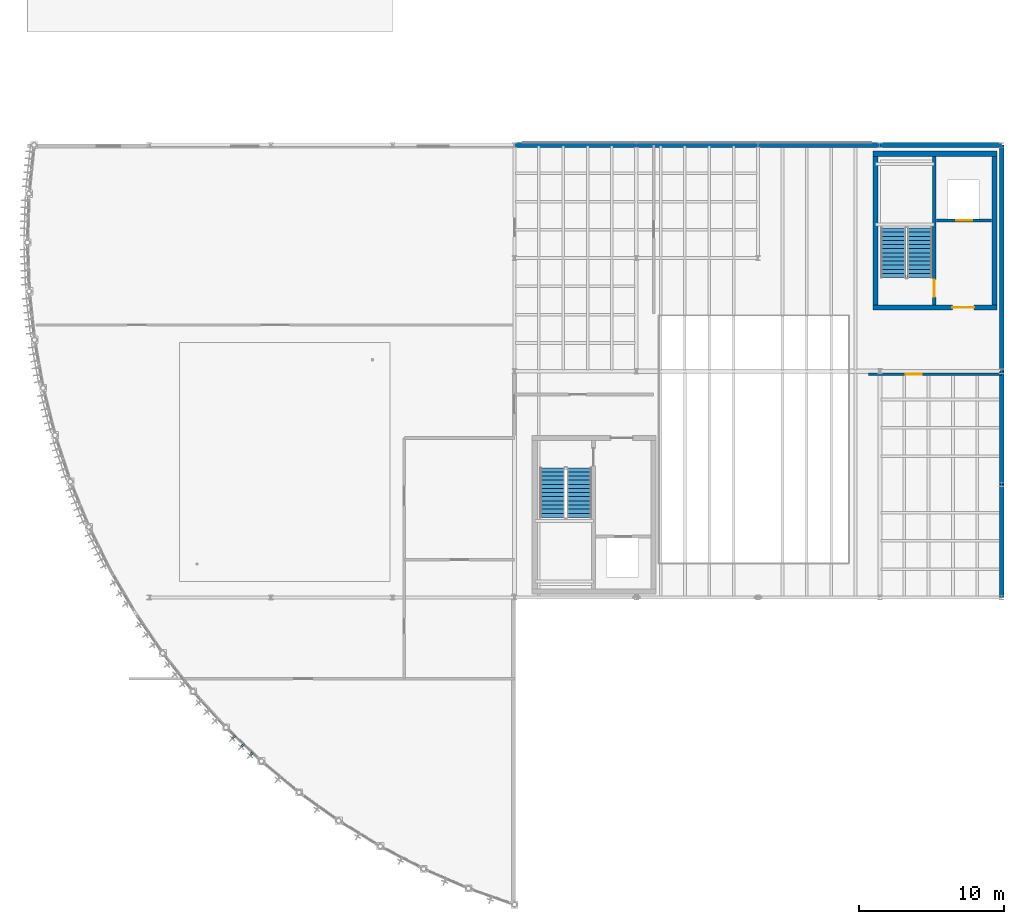
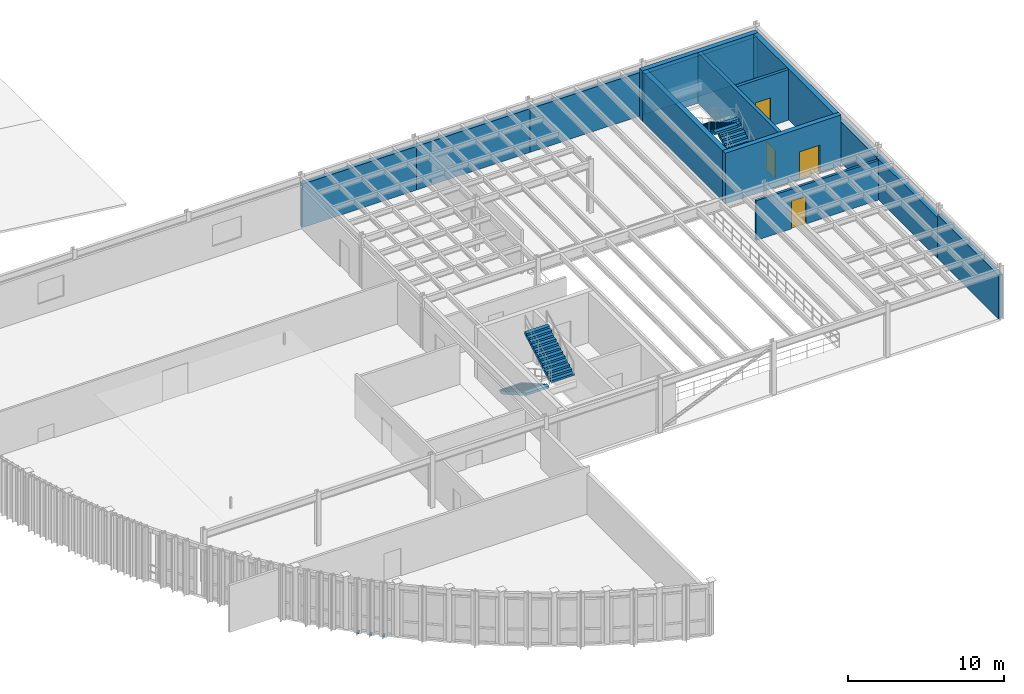
# One storey, part 20 of 26: 14 walls, 4 doors, 4 stair flights, 3 discrete accessories, 4 openings, 2 elements without a shape of their own.
"""IFC4 building model written with IfcOpenShell, lengths in metres."""

from ifc_helpers import new_model, si_unit, direction, frame, frame_2d, origin, origin_2d, place, context, subcontext, project, spatial, polyline, rectangle, outline, extrude, material, layer, layer_set, type_object, element, fill, aggregate, save


model = new_model("IFC4")

# Units and contexts
model_context = context("Model", 3, precision=1e-05, world=origin(), true_north=direction((0.0, 1.0)))
body_context = subcontext(model_context, "Body", "Model", "MODEL_VIEW")
ifc_project = project(units=[si_unit("LENGTHUNIT", "METRE"), si_unit("AREAUNIT", "SQUARE_METRE"), si_unit("VOLUMEUNIT", "CUBIC_METRE"), si_unit("PLANEANGLEUNIT", "RADIAN"), si_unit("MASSUNIT", "GRAM", prefix="KILO")], contexts=[model_context])

# Site, building, storey
site_placement = place(None, origin())
site = spatial("IfcSite", under=ifc_project, at=site_placement, CompositionType="ELEMENT")
building_placement = place(site_placement, origin())
building = spatial("IfcBuilding", under=site, at=building_placement, Name="Selat Folded Stagehouse", CompositionType="ELEMENT")
storey_placement = place(building_placement, frame((0.0, 0.0, 23.39990234375)))
storey = spatial("IfcBuildingStorey", under=building, at=storey_placement, Name="L05", CompositionType="ELEMENT", Elevation=23.39990234375)

# Wall, opening, door
ifc_material_1 = material(Name="Concrete C40/50", Category="concrete")
ifc_layer_1 = layer(ifc_material_1, 0.179931640625)
ifc_layer_set_1 = layer_set([ifc_layer_1], Name="Concrete C40/50")
wall_type_1 = type_object("IfcWallType", Name="WAL-COMP-180", PredefinedType="STANDARD", material=ifc_layer_set_1)
wall_1_placement = place(storey_placement, frame((58.0, 38.800048828125, 0.0), z_axis=(0.0, 0.0, 1.0), x_axis=(1.0, 0.0, 0.0)))
wall_1 = element("IfcWall", 1, at=wall_1_placement, inside=storey, type_object=wall_type_1, Name="L05 interior partition wall 129", PredefinedType="STANDARD", context=body_context, shape_type="SweptSolid", body=[
    extrude(rectangle(XDim=9.199951171875, YDim=0.179931640625, at=frame_2d((4.60009765625, 0.0))), origin(), (0.0, 0.0, 1.0), 3.09619140625),
])
opening_1_placement = place(wall_1_placement, frame((2.592041015625, 0.0, 0.0)))
opening_1 = element("IfcOpeningElement", 2, at=opening_1_placement, cuts=wall_1, Name="Opening FD-60", PredefinedType="OPENING", context=body_context, shape_type="SweptSolid", body=[
    extrude(rectangle(XDim=1.10009765625, YDim=2.14990234375, at=frame_2d((0.550048828125, 1.074951171875))), frame((0.0, 0.099853515625, 0.0), z_axis=(0.0, -1.0, 0.0), x_axis=(1.0, 0.0, 0.0)), (0.0, 0.0, 1.0), 0.199951171875),
])
ifc_material_2 = material(Name="Fire-rated timber core door", Category="wood")
door_type_1 = type_object("IfcDoorType", Name="DOR-FIRE-60", OperationType="NOTDEFINED", PredefinedType="DOOR", material=ifc_material_2)
door_1_placement = place(opening_1_placement, origin())
door_1 = element("IfcDoor", 3, at=door_1_placement, inside=storey, type_object=door_type_1, Name="L05 interior door IWAL-L05-129-1", OperationType="SINGLE_SWING_LEFT", OverallHeight=2.14990234375, OverallWidth=1.10009765625, PredefinedType="DOOR", context=body_context, shape_type="SweptSolid", body=[
    extrude(rectangle(XDim=1.10009765625, YDim=2.14990234375, at=frame_2d((0.550048828125, 1.074951171875))), frame((0.0, 0.02490234375, 0.0), z_axis=(0.0, -1.0, 0.0), x_axis=(1.0, 0.0, 0.0)), (0.0, 0.0, 1.0), 0.050048828125),
])
fill(opening_1, door_1)

ifc_layer_2 = layer(ifc_material_1, 0.215087890625)
ifc_layer_set_2 = layer_set([ifc_layer_2], Name="Concrete C40/50")
wall_type_2 = type_object("IfcWallType", Name="WAL-COMP-215", PredefinedType="STANDARD", material=ifc_layer_set_2)
wall_2_placement = place(storey_placement, frame((62.7099609375, 49.39990234375, 0.0), z_axis=(0.0, 0.0, 1.0), x_axis=(1.0, 0.0, 0.0)))
wall_2 = element("IfcWall", 4, at=wall_2_placement, inside=storey, type_object=wall_type_2, Name="L05 FL-02 lift shaft front wall", PredefinedType="STANDARD", context=body_context, shape_type="SweptSolid", body=[
    extrude(rectangle(XDim=3.794921875, YDim=0.215087890625, at=frame_2d((1.8974609375, 0.0))), origin(), (0.0, 0.0, 1.0), 3.947021484375),
])
opening_2_placement = place(wall_2_placement, frame((1.347412109375, 0.0, 0.0)))
opening_2 = element("IfcOpeningElement", 5, at=opening_2_placement, cuts=wall_2, Name="Opening LD-01", PredefinedType="OPENING", context=body_context, shape_type="SweptSolid", body=[
    extrude(rectangle(XDim=1.10009765625, YDim=2.199951171875, at=frame_2d((0.550048828125, 1.10009765625))), frame((0.0, 0.117431640625, 0.0), z_axis=(0.0, -1.0, 0.0), x_axis=(1.0, 0.0, 0.0)), (0.0, 0.0, 1.0), 0.235107421875),
])
ifc_material_3 = material(Name="Firefighting lift stainless sliding landing door", Category="wood")
door_type_2 = type_object("IfcDoorType", Name="DOR-LFT-1100", OperationType="NOTDEFINED", PredefinedType="DOOR", material=ifc_material_3)
door_2_placement = place(opening_2_placement, origin())
door_2 = element("IfcDoor", 6, at=door_2_placement, inside=storey, type_object=door_type_2, Name="L05 FL-02 lift sliding landing door", OperationType="SLIDING_TO_RIGHT", OverallHeight=2.199951171875, OverallWidth=1.10009765625, PredefinedType="DOOR", context=body_context, shape_type="SweptSolid", body=[
    extrude(rectangle(XDim=1.10009765625, YDim=2.199951171875, at=frame_2d((0.550048828125, 1.10009765625))), frame((0.0, 0.02490234375, 0.0), z_axis=(0.0, -1.0, 0.0), x_axis=(1.0, 0.0, 0.0)), (0.0, 0.0, 1.0), 0.050048828125),
])
fill(opening_2, door_2)

ifc_material_4 = material(Name="Concrete C50/60", Category="concrete")
ifc_layer_3 = layer(ifc_material_4, 0.25)
ifc_layer_set_3 = layer_set([ifc_layer_3], Name="Concrete C50/60")
wall_type_3 = type_object("IfcWallType", Name="WAL-CORE-250", PredefinedType="SHEAR", material=ifc_layer_set_3)
wall_3_placement = place(storey_placement, frame((62.550048828125, 53.824951171875, 0.0), z_axis=(0.0, 0.0, 1.0), x_axis=(0.0, -1.0, 0.0)))
wall_3 = element("IfcWall", 7, at=wall_3_placement, inside=storey, type_object=wall_type_3, Name="L05 CR-2 internal core divider wall", PredefinedType="SHEAR", context=body_context, shape_type="SweptSolid", body=[
    extrude(rectangle(XDim=10.25, YDim=0.25, at=frame_2d((5.125, 0.0))), origin(), (0.0, 0.0, 1.0), 3.955078125),
])
opening_3_placement = place(wall_3_placement, frame((8.5, 0.0, 0.0)))
opening_3 = element("IfcOpeningElement", 8, at=opening_3_placement, cuts=wall_3, Name="Opening FD-120", PredefinedType="OPENING", context=body_context, shape_type="SweptSolid", body=[
    extrude(rectangle(XDim=1.199951171875, YDim=2.14990234375, at=frame_2d((0.60009765625, 1.074951171875))), frame((0.0, 0.135009765625, 0.0), z_axis=(0.0, -1.0, 0.0), x_axis=(1.0, 0.0, 0.0)), (0.0, 0.0, 1.0), 0.27001953125),
])
ifc_material_5 = material(Name="Fire-rated steel acoustic door", Category="steel")
door_type_3 = type_object("IfcDoorType", Name="DOR-FIRE-120", OperationType="NOTDEFINED", PredefinedType="DOOR", material=ifc_material_5)
door_3_placement = place(opening_3_placement, origin())
door_3 = element("IfcDoor", 9, at=door_3_placement, inside=storey, type_object=door_type_3, Name="L05 CR-2 protected stair fire door", OperationType="SINGLE_SWING_LEFT", OverallHeight=2.14990234375, OverallWidth=1.199951171875, PredefinedType="DOOR", context=body_context, shape_type="SweptSolid", body=[
    extrude(rectangle(XDim=1.199951171875, YDim=2.14990234375, at=frame_2d((0.60009765625, 1.074951171875))), frame((0.0, 0.02490234375, 0.0), z_axis=(0.0, -1.0, 0.0), x_axis=(1.0, 0.0, 0.0)), (0.0, 0.0, 1.0), 0.050048828125),
])
fill(opening_3, door_3)

# Walls
ifc_material_6 = material(Name="Precast concrete C40/50", Category="concrete")
ifc_layer_4 = layer(ifc_material_6, 0.324951171875)
ifc_layer_set_4 = layer_set([ifc_layer_4], Name="Precast concrete C40/50")
wall_type_4 = type_object("IfcWallType", Name="WAL-EXT-325", PredefinedType="STANDARD", material=ifc_layer_set_4)
for number, where, z_axis, x_axis, name in (
    (10, (33.60009765625, 54.60009765625, 0.0), (0.0, 0.0, 1.0), (1.0, 0.0, 0.0), "L05 exterior facade wall EW-L05-V2N-33"),
    (11, (42.0, 54.60009765625, 0.0), (0.0, 0.0, 1.0), (1.0, 0.0, 0.0), "L05 exterior facade wall EW-L05-V2N-42"),
):
    element("IfcWall", number, at=place(storey_placement, frame(where, z_axis=z_axis, x_axis=x_axis)), inside=storey, type_object=wall_type_4, Name=name, PredefinedType="STANDARD", context=body_context, shape_type="SweptSolid", body=[
        extrude(rectangle(XDim=8.39990234375, YDim=0.324951171875, at=frame_2d((4.199951171875, 0.0))), origin(), (0.0, 0.0, 1.0), 3.40771484375),
    ])
wall_4_placement = place(storey_placement, frame((50.39990234375, 54.60009765625, 0.0), z_axis=(0.0, 0.0, 1.0), x_axis=(1.0, 0.0, 0.0)))
element("IfcWall", 12, at=wall_4_placement, inside=storey, type_object=wall_type_4, Name="L05 exterior facade wall EW-L05-V2N-50", PredefinedType="STANDARD", context=body_context, shape_type="SweptSolid", body=[
    extrude(rectangle(XDim=8.400146484375, YDim=0.324951171875, at=frame_2d((4.2001953125, 0.0))), origin(), (0.0, 0.0, 1.0), 3.40771484375),
])
wall_5_placement = place(storey_placement, frame((58.800048828125, 54.60009765625, 0.0), z_axis=(0.0, 0.0, 1.0), x_axis=(1.0, 0.0, 0.0)))
element("IfcWall", 13, at=wall_5_placement, inside=storey, type_object=wall_type_4, Name="L05 exterior facade wall EW-L05-V2N-58", PredefinedType="STANDARD", context=body_context, shape_type="SweptSolid", body=[
    extrude(rectangle(XDim=8.39990234375, YDim=0.324951171875, at=frame_2d((4.199951171875, 0.0))), origin(), (0.0, 0.0, 1.0), 3.17724609375),
])
wall_6_placement = place(storey_placement, frame((67.199951171875, 54.60009765625, 0.0), z_axis=(0.0, 0.0, 1.0), x_axis=(0.0, -1.0, 0.0)))
element("IfcWall", 14, at=wall_6_placement, inside=storey, type_object=wall_type_4, Name="L05 exterior facade wall EW-L05-V2E-39", PredefinedType="STANDARD", context=body_context, shape_type="SweptSolid", body=[
    extrude(rectangle(XDim=15.60009765625, YDim=0.324951171875, at=frame_2d((7.800048828125, 0.0))), origin(), (0.0, 0.0, 1.0), 3.17724609375),
])
wall_7_placement = place(storey_placement, frame((67.199951171875, 39.0, 0.0), z_axis=(0.0, 0.0, 1.0), x_axis=(0.0, -1.0, 0.0)))
element("IfcWall", 15, at=wall_7_placement, inside=storey, type_object=wall_type_4, Name="L05 exterior facade wall EW-L05-V2E-31", PredefinedType="STANDARD", context=body_context, shape_type="SweptSolid", body=[
    extrude(rectangle(XDim=7.800048828125, YDim=0.324951171875, at=frame_2d((3.89990234375, 0.0))), origin(), (0.0, 0.0, 1.0), 3.17724609375),
])
wall_8_placement = place(storey_placement, frame((67.199951171875, 31.199951171875, 0.0), z_axis=(0.0, 0.0, 1.0), x_axis=(0.0, -1.0, 0.0)))
element("IfcWall", 16, at=wall_8_placement, inside=storey, type_object=wall_type_4, Name="L05 exterior facade wall EW-L05-V2E-23", PredefinedType="STANDARD", context=body_context, shape_type="SweptSolid", body=[
    extrude(rectangle(XDim=7.800048828125, YDim=0.324951171875, at=frame_2d((3.89990234375, 0.0))), origin(), (0.0, 0.0, 1.0), 3.40771484375),
])

# Wall, opening, door
ifc_layer_5 = layer(ifc_material_4, 0.35009765625)
ifc_layer_set_5 = layer_set([ifc_layer_5], Name="Concrete C50/60")
wall_type_5 = type_object("IfcWallType", Name="WAL-SW-350", PredefinedType="SHEAR", material=ifc_layer_set_5)
wall_9_placement = place(storey_placement, frame((66.875, 43.39990234375, 0.0), z_axis=(0.0, 0.0, 1.0), x_axis=(-1.0, 0.0, 0.0)))
wall_9 = element("IfcWall", 17, at=wall_9_placement, inside=storey, type_object=wall_type_5, Name="L05 CR-2 south shear wall", PredefinedType="SHEAR", context=body_context, shape_type="SweptSolid", body=[
    extrude(rectangle(XDim=8.550048828125, YDim=0.35009765625, at=frame_2d((4.27490234375, 0.0))), origin(), (0.0, 0.0, 1.0), 3.955078125),
])
opening_4_placement = place(wall_9_placement, frame((1.574951171875, 0.0, 0.0)))
opening_4 = element("IfcOpeningElement", 18, at=opening_4_placement, cuts=wall_9, Name="Opening FD-120B", PredefinedType="OPENING", context=body_context, shape_type="SweptSolid", body=[
    extrude(rectangle(XDim=1.5, YDim=2.14990234375, at=frame_2d((0.75, 1.074951171875))), frame((0.0, 0.18505859375, 0.0), z_axis=(0.0, -1.0, 0.0), x_axis=(1.0, 0.0, 0.0)), (0.0, 0.0, 1.0), 0.3701171875),
])
ifc_material_7 = material(Name="Firefighting lobby double-leaf fire door", Category="wood")
door_type_4 = type_object("IfcDoorType", Name="DOR-FFL-1500", OperationType="NOTDEFINED", PredefinedType="DOOR", material=ifc_material_7)
door_4_placement = place(opening_4_placement, origin())
door_4 = element("IfcDoor", 19, at=door_4_placement, inside=storey, type_object=door_type_4, Name="L05 CR-2 core lobby fire door", OperationType="SINGLE_SWING_RIGHT", OverallHeight=2.14990234375, OverallWidth=1.5, PredefinedType="DOOR", context=body_context, shape_type="SweptSolid", body=[
    extrude(rectangle(XDim=1.5, YDim=2.14990234375, at=frame_2d((0.75, 1.074951171875))), frame((0.0, 0.02490234375, 0.0), z_axis=(0.0, -1.0, 0.0), x_axis=(1.0, 0.0, 0.0)), (0.0, 0.0, 1.0), 0.050048828125),
])
fill(opening_4, door_4)

# Walls
wall_10_placement = place(storey_placement, frame((58.324951171875, 54.0, 0.0), z_axis=(0.0, 0.0, 1.0), x_axis=(1.0, 0.0, 0.0)))
element("IfcWall", 20, at=wall_10_placement, inside=storey, type_object=wall_type_5, Name="L05 CR-2 north shear wall", PredefinedType="SHEAR", context=body_context, shape_type="SweptSolid", body=[
    extrude(rectangle(XDim=8.550048828125, YDim=0.35009765625, at=frame_2d((4.27490234375, 0.0))), origin(), (0.0, 0.0, 1.0), 3.955078125),
])
for number, where, z_axis, x_axis, name in (
    (21, (58.5, 43.574951171875, 0.0), (0.0, 0.0, 1.0), (0.0, 1.0, 0.0), "L05 CR-2 west shear wall"),
    (22, (66.699951171875, 53.824951171875, 0.0), (0.0, 0.0, 1.0), (0.0, -1.0, 0.0), "L05 CR-2 east shear wall"),
):
    element("IfcWall", number, at=place(storey_placement, frame(where, z_axis=z_axis, x_axis=x_axis)), inside=storey, type_object=wall_type_5, Name=name, PredefinedType="SHEAR", context=body_context, shape_type="SweptSolid", body=[
        extrude(rectangle(XDim=10.25, YDim=0.35009765625, at=frame_2d((5.125, 0.0))), origin(), (0.0, 0.0, 1.0), 3.955078125),
    ])

# Stair, stair flights
stair_type = type_object("IfcStairType", Name="STR-DOG-1700-26R", PredefinedType="HALF_TURN_STAIR", material=ifc_material_1)
stair_1_placement = place(storey_placement, origin())
stair_1 = element("IfcStair", 23, at=stair_1_placement, inside=storey, type_object=stair_type, Name="L05 Core 1 South-West Fire Core", PredefinedType="HALF_TURN_STAIR")
stair_flight_type = type_object("IfcStairFlightType", Name="STF-STR-1700-13R", PredefinedType="STRAIGHT", material=ifc_material_1)
stair_flight_1_placement = place(storey_placement, frame((36.2099609375, 32.340087890625, 0.0), z_axis=(0.0, 0.0, 1.0), x_axis=(0.0, -1.0, 0.0)))
stair_flight_1 = element("IfcStairFlight", 24, at=stair_flight_1_placement, type_object=stair_flight_type, Name="ST-1700-26R flight 1", NumberOfRisers=13, NumberOfTreads=12, PredefinedType="STRAIGHT", RiserHeight=0.161538462, TreadLength=0.285, context=body_context, shape_type="SweptSolid", body=[
    extrude(outline(polyline([(0.0, 0.0), (0.0, 0.16162109375), (0.284912109375, 0.16162109375), (0.284912109375, 0.322998046875), (0.570068359375, 0.322998046875), (0.570068359375, 0.484619140625), (0.85498046875, 0.484619140625), (0.85498046875, 0.646240234375), (1.139892578125, 0.646240234375), (1.139892578125, 0.8076171875), (1.425048828125, 0.8076171875), (1.425048828125, 0.96923828125), (1.7099609375, 0.96923828125), (1.7099609375, 1.130859375), (1.9951171875, 1.130859375), (1.9951171875, 1.292236328125), (2.280029296875, 1.292236328125), (2.280029296875, 1.453857421875), (2.56494140625, 1.453857421875), (2.56494140625, 1.615478515625), (2.85009765625, 1.615478515625), (2.85009765625, 1.77685546875), (3.135009765625, 1.77685546875), (3.135009765625, 1.9384765625), (3.419921875, 1.9384765625), (3.419921875, 2.10009765625), (3.419921875, 1.754638671875), (0.32421875, 0.0), (0.0, 0.0)])), frame((0.0, 0.85009765625, 0.0), z_axis=(0.0, -1.0, 0.0), x_axis=(1.0, 0.0, 0.0)), (0.0, 0.0, 1.0), 1.699951171875),
])
stair_flight_2_placement = place(storey_placement, frame((38.070068359375, 28.919921875, 2.10009765625), z_axis=(0.0, 0.0, 1.0), x_axis=(0.0, 1.0, 0.0)))
stair_flight_2 = element("IfcStairFlight", 25, at=stair_flight_2_placement, type_object=stair_flight_type, Name="ST-1700-26R flight 2", NumberOfRisers=13, NumberOfTreads=12, PredefinedType="STRAIGHT", RiserHeight=0.161538462, TreadLength=0.285, context=body_context, shape_type="SweptSolid", body=[
    extrude(outline(polyline([(0.0, 0.0), (0.0, 0.16162109375), (0.284912109375, 0.16162109375), (0.284912109375, 0.322998046875), (0.570068359375, 0.322998046875), (0.570068359375, 0.484619140625), (0.85498046875, 0.484619140625), (0.85498046875, 0.646240234375), (1.139892578125, 0.646240234375), (1.139892578125, 0.8076171875), (1.425048828125, 0.8076171875), (1.425048828125, 0.96923828125), (1.7099609375, 0.96923828125), (1.7099609375, 1.130859375), (1.9951171875, 1.130859375), (1.9951171875, 1.292236328125), (2.280029296875, 1.292236328125), (2.280029296875, 1.453857421875), (2.56494140625, 1.453857421875), (2.56494140625, 1.615478515625), (2.85009765625, 1.615478515625), (2.85009765625, 1.77685546875), (3.135009765625, 1.77685546875), (3.135009765625, 1.9384765625), (3.419921875, 1.9384765625), (3.419921875, 2.10009765625), (3.419921875, 1.754638671875), (0.32421875, 0.0), (0.0, 0.0)])), frame((0.0, 0.85009765625, 0.0), z_axis=(0.0, -1.0, 0.0), x_axis=(1.0, 0.0, 0.0)), (0.0, 0.0, 1.0), 1.699951171875),
])
aggregate(stair_1, [stair_flight_1, stair_flight_2])

stair_2_placement = place(storey_placement, origin())
stair_2 = element("IfcStair", 26, at=stair_2_placement, inside=storey, type_object=stair_type, Name="L05 Core 2 North-East Stage Fire Core", PredefinedType="HALF_TURN_STAIR")
stair_flight_3_placement = place(storey_placement, frame((61.570068359375, 45.4599609375, 0.0), z_axis=(0.0, 0.0, 1.0), x_axis=(0.0, 1.0, 0.0)))
stair_flight_3 = element("IfcStairFlight", 27, at=stair_flight_3_placement, type_object=stair_flight_type, Name="ST-1700-26R flight 1", NumberOfRisers=13, NumberOfTreads=12, PredefinedType="STRAIGHT", RiserHeight=0.161538462, TreadLength=0.285, context=body_context, shape_type="SweptSolid", body=[
    extrude(outline(polyline([(0.0, 0.0), (0.0, 0.16162109375), (0.284912109375, 0.16162109375), (0.284912109375, 0.322998046875), (0.570068359375, 0.322998046875), (0.570068359375, 0.484619140625), (0.85498046875, 0.484619140625), (0.85498046875, 0.646240234375), (1.139892578125, 0.646240234375), (1.139892578125, 0.8076171875), (1.425048828125, 0.8076171875), (1.425048828125, 0.96923828125), (1.7099609375, 0.96923828125), (1.7099609375, 1.130859375), (1.9951171875, 1.130859375), (1.9951171875, 1.292236328125), (2.280029296875, 1.292236328125), (2.280029296875, 1.453857421875), (2.56494140625, 1.453857421875), (2.56494140625, 1.615478515625), (2.85009765625, 1.615478515625), (2.85009765625, 1.77685546875), (3.135009765625, 1.77685546875), (3.135009765625, 1.9384765625), (3.419921875, 1.9384765625), (3.419921875, 2.10009765625), (3.419921875, 1.754638671875), (0.32421875, 0.0), (0.0, 0.0)])), frame((0.0, 0.85009765625, 0.0), z_axis=(0.0, -1.0, 0.0), x_axis=(1.0, 0.0, 0.0)), (0.0, 0.0, 1.0), 1.699951171875),
])
stair_flight_4_placement = place(storey_placement, frame((59.7099609375, 48.8798828125, 2.10009765625), z_axis=(0.0, 0.0, 1.0), x_axis=(0.0, -1.0, 0.0)))
stair_flight_4 = element("IfcStairFlight", 28, at=stair_flight_4_placement, type_object=stair_flight_type, Name="ST-1700-26R flight 2", NumberOfRisers=13, NumberOfTreads=12, PredefinedType="STRAIGHT", RiserHeight=0.161538462, TreadLength=0.285, context=body_context, shape_type="SweptSolid", body=[
    extrude(outline(polyline([(0.0, 0.0), (0.0, 0.16162109375), (0.284912109375, 0.16162109375), (0.284912109375, 0.322998046875), (0.570068359375, 0.322998046875), (0.570068359375, 0.484619140625), (0.85498046875, 0.484619140625), (0.85498046875, 0.646240234375), (1.139892578125, 0.646240234375), (1.139892578125, 0.8076171875), (1.425048828125, 0.8076171875), (1.425048828125, 0.96923828125), (1.7099609375, 0.96923828125), (1.7099609375, 1.130859375), (1.9951171875, 1.130859375), (1.9951171875, 1.292236328125), (2.280029296875, 1.292236328125), (2.280029296875, 1.453857421875), (2.56494140625, 1.453857421875), (2.56494140625, 1.615478515625), (2.85009765625, 1.615478515625), (2.85009765625, 1.77685546875), (3.135009765625, 1.77685546875), (3.135009765625, 1.9384765625), (3.419921875, 1.9384765625), (3.419921875, 2.10009765625), (3.419921875, 1.754638671875), (0.32421875, 0.0), (0.0, 0.0)])), frame((0.0, 0.85009765625, 0.0), z_axis=(0.0, -1.0, 0.0), x_axis=(1.0, 0.0, 0.0)), (0.0, 0.0, 1.0), 1.699951171875),
])
aggregate(stair_2, [stair_flight_3, stair_flight_4])

# Discrete accessories
ifc_material_8 = material(Name="Stainless steel 1.4401", Category="steel")
discrete_accessory_type = type_object("IfcDiscreteAccessoryType", Name="ACC-BRK-280x140x110", PredefinedType="BRACKET", material=ifc_material_8)
for number, where, z_axis, x_axis, name in (
    (29, (14.222900390625, 13.758056640625, -0.134765625), (0.0, 0.0, 1.0), (-0.702277314289, -0.711903486321, 0.0), "L05 solar fin slab bracket 396"),
    (30, (14.83447265625, 13.17578125, -0.134765625), (0.0, 0.0, 1.0), (-0.689619543736, -0.724171861437, 0.0), "L05 solar fin slab bracket 402"),
    (31, (15.44580078125, 12.59326171875, -0.134765625), (0.0, 0.0, 1.0), (-0.676875969683, -0.73609708712, 0.0), "L05 solar fin slab bracket 408"),
):
    element("IfcDiscreteAccessory", number, at=place(storey_placement, frame(where, z_axis=z_axis, x_axis=x_axis)), inside=storey, type_object=discrete_accessory_type, Name=name, PredefinedType="BRACKET", context=body_context, shape_type="SweptSolid", body=[
        extrude(rectangle(XDim=0.280029296875, YDim=0.139892578125, at=origin_2d()), origin(), (0.0, 0.0, 1.0), 0.110107421875),
    ])

save(model, "model.ifc")
